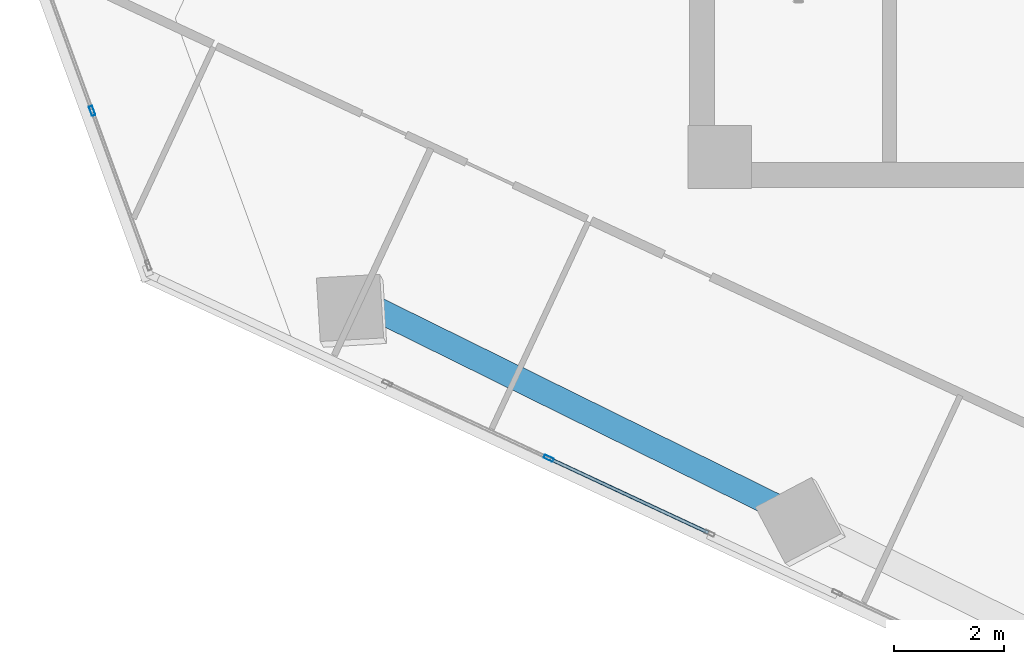
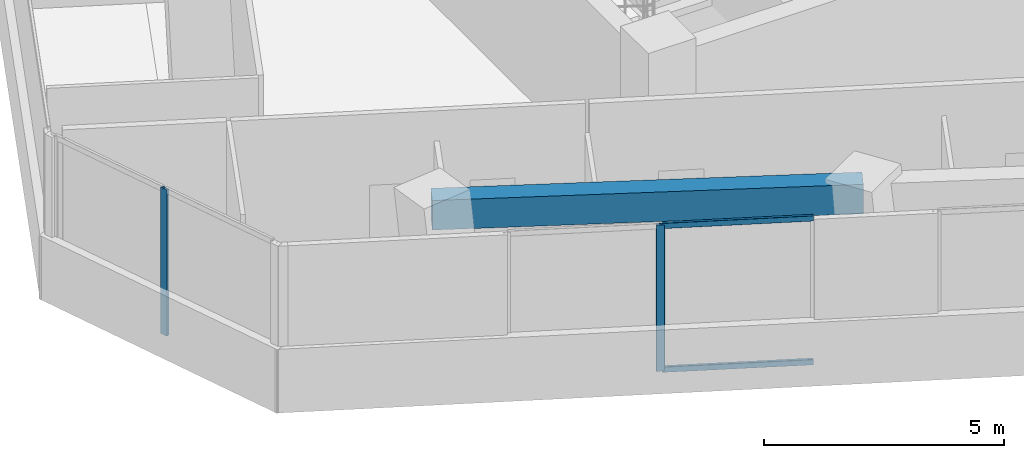
# One storey, part 3 of 23: 4 members, 1 beam, 2 elements without a shape of their own.
"""IFC4 building model written with IfcOpenShell, lengths in metres."""

from ifc_helpers import new_model, si_unit, direction, frame, origin, origin_2d, place, context, subcontext, project, spatial, rectangle, hollow_rectangle, extrude, source, transform, mapped, material, material_profile, profile_set, type_object, element, aggregate, save


model = new_model("IFC4")

# Units and contexts
model_context = context("Model", 3, precision=1e-05, world=origin(), true_north=direction((0.0, 1.0)))
body_context = subcontext(model_context, "Body", "Model", "MODEL_VIEW")
ifc_project = project(units=[si_unit("LENGTHUNIT", "METRE"), si_unit("AREAUNIT", "SQUARE_METRE"), si_unit("VOLUMEUNIT", "CUBIC_METRE"), si_unit("PLANEANGLEUNIT", "RADIAN"), si_unit("MASSUNIT", "GRAM", prefix="KILO")], contexts=[model_context])

# Site, building, storey
site_placement = place(None, origin())
site = spatial("IfcSite", under=ifc_project, at=site_placement, CompositionType="ELEMENT")
building_placement = place(site_placement, origin())
building = spatial("IfcBuilding", under=site, at=building_placement, Name="Torre Montelarca", CompositionType="ELEMENT")
storey_placement = place(building_placement, frame((0.0, 0.0, 158.199951171875)))
storey = spatial("IfcBuildingStorey", under=building, at=storey_placement, Name="L35", CompositionType="ELEMENT", Elevation=158.199951171875)

# Beam
ifc_material_1 = material(Name="Concrete C55/67", Category="concrete")
ifc_material_profile_1 = material_profile(ifc_material_1, rectangle(XDim=0.449951171875, YDim=0.75, at=origin_2d()), Name="RCB450X750", Category="concrete")
ifc_profile_set_1 = profile_set([ifc_material_profile_1], Name="Concrete C55/67")
beam_type = type_object("IfcBeamType", Name="BM-SP-RC750-EXT", PredefinedType="SPANDREL", material=ifc_profile_set_1)
shared_shape_1 = source(origin(), body_context, "Body", "SweptSolid", [
    extrude(rectangle(XDim=0.449951171875, YDim=0.75, at=origin_2d()), origin(), (0.0, 0.0, 1.0), 9.0),
])
beam_placement = place(storey_placement, frame((2.681640625, 22.102294921875, 3.5849609375), z_axis=(0.896882073005, -0.442269767362, 0.0), x_axis=(0.442269767362, 0.896882073005, 0.0)))
element("IfcBeam", 1, at=beam_placement, inside=storey, type_object=beam_type, Name="L35 Grid Girder X 9.0-18.0 at Y=14.8", PredefinedType="SPANDREL", context=body_context, shape_type="MappedRepresentation", body=[
    mapped(shared_shape_1, transform((0.0, 0.0, 0.0), scale=1.0)),
])

# Curtain wall, member
ifc_material_2 = material(Name="Insulated low-E laminated glass", Category="glass")
curtain_wall_type = type_object("IfcCurtainWallType", Name="CW-SYS-Z2", PredefinedType="USERDEFINED", material=ifc_material_2)
curtain_wall_1_placement = place(storey_placement, origin())
curtain_wall_1 = element("IfcCurtainWall", 2, at=curtain_wall_1_placement, inside=storey, type_object=curtain_wall_type, Name="L35 Curtain Wall Run CW-T3-L35-E01-B1", ObjectType="UNITISED GLAZING", PredefinedType="USERDEFINED")
ifc_material_3 = material(Name="Anodised aluminium AA 6063-T6", Category="aluminium")
ifc_material_profile_2 = material_profile(ifc_material_3, hollow_rectangle(XDim=0.06494140625, YDim=0.179931640625, WallThickness=0.00390625, InnerFilletRadius=0.00390625, OuterFilletRadius=0.008056640625, at=origin_2d()), Name="ALU65X180X4", Category="aluminium")
ifc_profile_set_2 = profile_set([ifc_material_profile_2], Name="Anodised aluminium AA 6063-T6")
member_type_1 = type_object("IfcMemberType", Name="CWM-ALU180", PredefinedType="MULLION", material=ifc_profile_set_2)
shared_shape_2 = source(origin(), body_context, "Body", "SweptSolid", [
    extrude(hollow_rectangle(XDim=0.06494140625, YDim=0.179931640625, WallThickness=0.00390625, InnerFilletRadius=0.00390625, OuterFilletRadius=0.008056640625, at=origin_2d()), origin(), (0.0, 0.0, 1.0), 3.719970703125),
])
member_1_placement = place(storey_placement, frame((6.443115234375, 19.0830078125, 0.0), z_axis=(0.0, 0.0, 1.0), x_axis=(0.422613221295, 0.906310137418, 0.0)))
member_1 = element("IfcMember", 3, at=member_1_placement, type_object=member_type_1, Name="CW mullion 2", PredefinedType="MULLION", context=body_context, shape_type="MappedRepresentation", body=[
    mapped(shared_shape_2, transform((0.0, 0.0, 0.0), scale=1.0)),
])

curtain_wall_2_placement = place(storey_placement, origin())
curtain_wall_2 = element("IfcCurtainWall", 4, at=curtain_wall_2_placement, inside=storey, type_object=curtain_wall_type, Name="L35 Curtain Wall Run CW-T3-L35-E11-B1", ObjectType="UNITISED GLAZING", PredefinedType="USERDEFINED")
member_2_placement = place(storey_placement, frame((-1.83984375, 25.38623046875, 0.0), z_axis=(0.0, 0.0, 1.0), x_axis=(0.939694159282, 0.342015916313, 0.0)))
member_2 = element("IfcMember", 5, at=member_2_placement, type_object=member_type_1, Name="CW mullion 2", PredefinedType="MULLION", context=body_context, shape_type="MappedRepresentation", body=[
    mapped(shared_shape_2, transform((0.0, 0.0, 0.0), scale=1.0)),
])
aggregate(curtain_wall_2, [member_2])

# Member
ifc_material_profile_3 = material_profile(ifc_material_3, hollow_rectangle(XDim=0.06494140625, YDim=0.139892578125, WallThickness=0.00390625, InnerFilletRadius=0.00390625, OuterFilletRadius=0.008056640625, at=origin_2d()), Name="ALU65X140X4", Category="aluminium")
ifc_profile_set_3 = profile_set([ifc_material_profile_3], Name="Anodised aluminium AA 6063-T6")
member_type_2 = type_object("IfcMemberType", Name="CWT-ALU140", PredefinedType="USERDEFINED", material=ifc_profile_set_3)
shared_shape_3 = source(origin(), body_context, "Body", "SweptSolid", [
    extrude(hollow_rectangle(XDim=0.06494140625, YDim=0.139892578125, WallThickness=0.00390625, InnerFilletRadius=0.00390625, OuterFilletRadius=0.008056640625, at=origin_2d()), origin(), (0.0, 0.0, 1.0), 3.160400390625),
])
member_3_placement = place(storey_placement, frame((6.47265625, 19.0693359375, 0.032470703125), z_axis=(0.906329133103, -0.422572481936, 0.0), x_axis=(0.422572481936, 0.906329133103, 0.0)))
member_3 = element("IfcMember", 6, at=member_3_placement, type_object=member_type_2, Name="CW transom 2.1", ObjectType="TRANSOM", PredefinedType="USERDEFINED", context=body_context, shape_type="MappedRepresentation", body=[
    mapped(shared_shape_3, transform((0.0, 0.0, 0.0), scale=1.0)),
])

member_4_placement = place(storey_placement, frame((6.47265625, 19.0693359375, 3.6875), z_axis=(0.906329133103, -0.422572481936, 0.0), x_axis=(0.422572481936, 0.906329133103, 0.0)))
member_4 = element("IfcMember", 7, at=member_4_placement, type_object=member_type_2, Name="CW transom 2.2", ObjectType="TRANSOM", PredefinedType="USERDEFINED", context=body_context, shape_type="MappedRepresentation", body=[
    mapped(shared_shape_3, transform((0.0, 0.0, 0.0), scale=1.0)),
])

aggregate(curtain_wall_1, [member_1, member_3, member_4])

save(model, "model.ifc")
